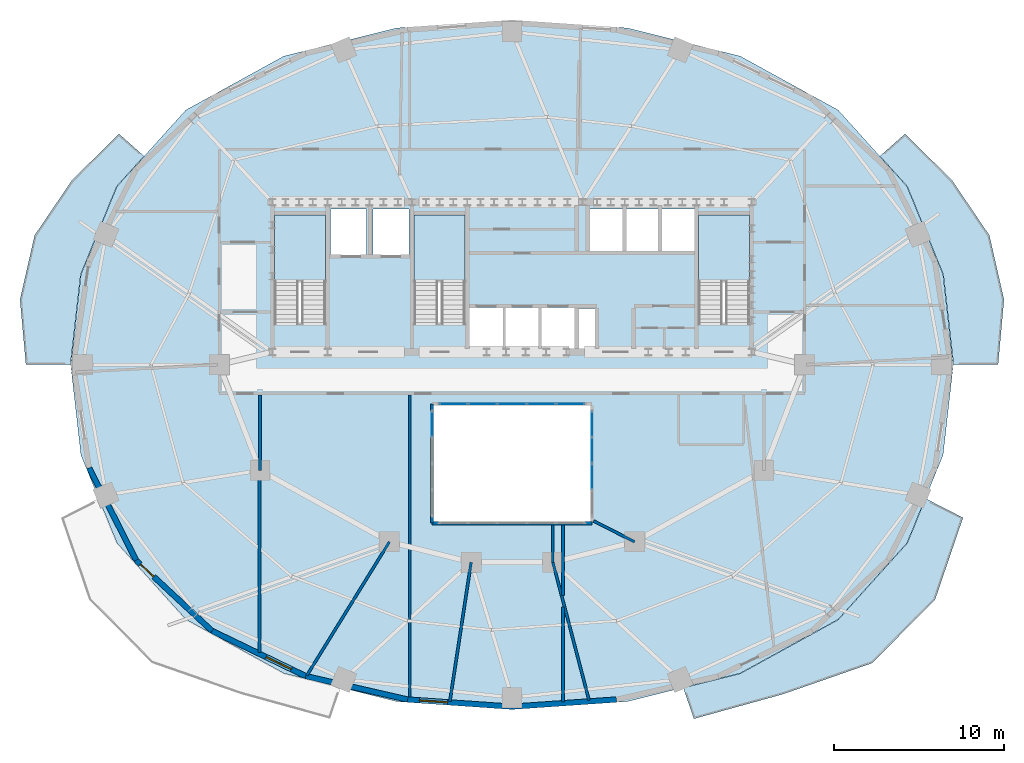
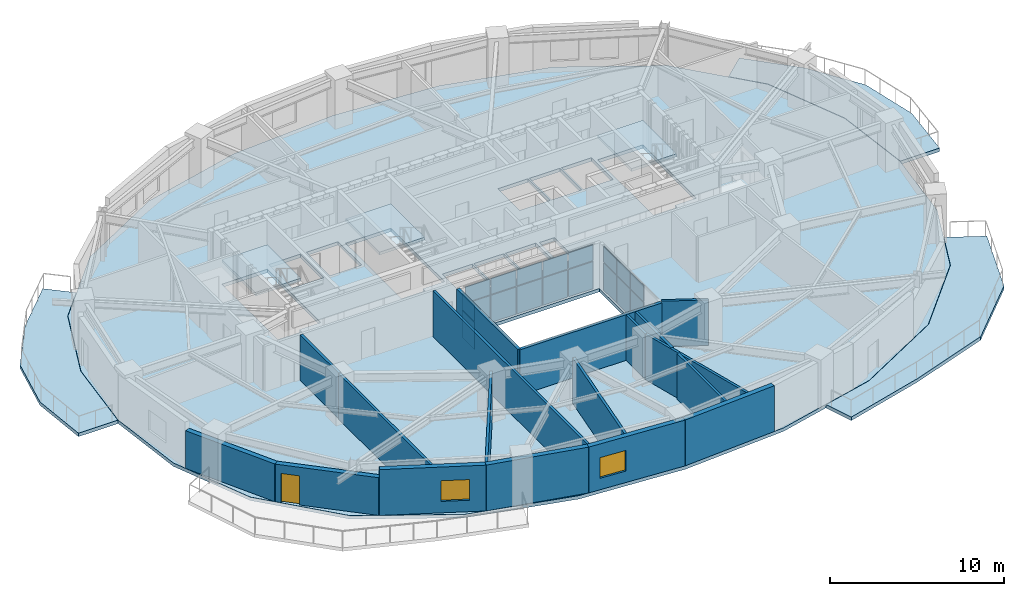
# One storey, part 5 of 11: 18 plates, 18 walls, 7 slabs, 2 windows, 1 door, 3 openings, 6 elements without a shape of their own.
"""IFC4 building model written with IfcOpenShell, lengths in metres."""

from ifc_helpers import new_model, si_unit, direction, frame, frame_2d, origin, origin_2d, place, context, subcontext, project, spatial, polyline, rectangle, outline, extrude, material, layer, layer_set, type_object, element, fill, aggregate, save


model = new_model("IFC4")

# Units and contexts
model_context = context("Model", 3, precision=1e-05, world=origin(), true_north=direction((0.0, 1.0)))
body_context = subcontext(model_context, "Body", "Model", "MODEL_VIEW")
ifc_project = project(units=[si_unit("LENGTHUNIT", "METRE"), si_unit("AREAUNIT", "SQUARE_METRE"), si_unit("VOLUMEUNIT", "CUBIC_METRE"), si_unit("PLANEANGLEUNIT", "RADIAN"), si_unit("MASSUNIT", "GRAM", prefix="KILO")], contexts=[model_context])

# Site, building, storey
site_placement = place(None, origin())
site = spatial("IfcSite", under=ifc_project, at=site_placement, CompositionType="ELEMENT")
building_placement = place(site_placement, origin())
building = spatial("IfcBuilding", under=site, at=building_placement, Name="Haldorwick Loom Tower", CompositionType="ELEMENT")
storey_placement = place(building_placement, frame((0.0, 0.0, 168.25)))
storey = spatial("IfcBuildingStorey", under=building, at=storey_placement, Name="L45", CompositionType="ELEMENT", Elevation=168.25)

# Curtain wall, plates
ifc_material_1 = material(Name="Thermally Broken Anodized Aluminium Curtain Wall Framing", Category="aluminium")
curtain_wall_type = type_object("IfcCurtainWallType", Name="ARC-CW-03", PredefinedType="NOTDEFINED", material=ifc_material_1)
curtain_wall_1_placement = place(storey_placement, origin())
curtain_wall_1 = element("IfcCurtainWall", 1, at=curtain_wall_1_placement, inside=storey, type_object=curtain_wall_type, Name="L45 Atrium Glazed Screen N", PredefinedType="NOTDEFINED")
ifc_material_2 = material(Name="Triple-Glazed Low-E Argon Insulated Glazing Unit", Category="glass")
ifc_layer_1 = layer(ifc_material_2, 0.04296875, Name="Triple-Glazed Low-E Argon Insulated Glazing Unit", Category="glass")
ifc_layer_set_1 = layer_set([ifc_layer_1], Name="Triple-Glazed Low-E Argon Insulated Glazing Unit")
plate_type = type_object("IfcPlateType", Name="ARC-CWP-03", PredefinedType="CURTAIN_PANEL", material=ifc_layer_set_1)
plate_1_placement = place(storey_placement, frame((32.576416015625, 23.699951171875, 0.066162109375), z_axis=(0.0, 0.0, 1.0), x_axis=(1.0, 0.0, 0.0)))
plate_1 = element("IfcPlate", 2, at=plate_1_placement, type_object=plate_type, Name="CW-03 panel 1.1", PredefinedType="CURTAIN_PANEL", context=body_context, shape_type="SweptSolid", body=[
    extrude(rectangle(XDim=1.62109375, YDim=0.04296875, at=origin_2d()), origin(), (0.0, 0.0, 1.0), 1.90087890625),
])
plate_2_placement = place(storey_placement, frame((32.576416015625, 23.699951171875, 2.03271484375), z_axis=(0.0, 0.0, 1.0), x_axis=(1.0, 0.0, 0.0)))
plate_2 = element("IfcPlate", 3, at=plate_2_placement, type_object=plate_type, Name="CW-03 panel 1.2", PredefinedType="CURTAIN_PANEL", context=body_context, shape_type="SweptSolid", body=[
    extrude(rectangle(XDim=1.62109375, YDim=0.04296875, at=origin_2d()), origin(), (0.0, 0.0, 1.0), 1.111083984375),
])
plate_3_placement = place(storey_placement, frame((34.280029296875, 23.699951171875, 0.066162109375), z_axis=(0.0, 0.0, 1.0), x_axis=(1.0, 0.0, 0.0)))
plate_3 = element("IfcPlate", 4, at=plate_3_placement, type_object=plate_type, Name="CW-03 panel 2.1", PredefinedType="CURTAIN_PANEL", context=body_context, shape_type="SweptSolid", body=[
    extrude(rectangle(XDim=1.654052734375, YDim=0.04296875, at=origin_2d()), origin(), (0.0, 0.0, 1.0), 1.90087890625),
])
plate_4_placement = place(storey_placement, frame((34.280029296875, 23.699951171875, 2.03271484375), z_axis=(0.0, 0.0, 1.0), x_axis=(1.0, 0.0, 0.0)))
plate_4 = element("IfcPlate", 5, at=plate_4_placement, type_object=plate_type, Name="CW-03 panel 2.2", PredefinedType="CURTAIN_PANEL", context=body_context, shape_type="SweptSolid", body=[
    extrude(rectangle(XDim=1.654052734375, YDim=0.04296875, at=origin_2d()), origin(), (0.0, 0.0, 1.0), 1.111083984375),
])
plate_5_placement = place(storey_placement, frame((36.0, 23.699951171875, 0.066162109375), z_axis=(0.0, 0.0, 1.0), x_axis=(1.0, 0.0, 0.0)))
plate_5 = element("IfcPlate", 6, at=plate_5_placement, type_object=plate_type, Name="CW-03 panel 3.1", PredefinedType="CURTAIN_PANEL", context=body_context, shape_type="SweptSolid", body=[
    extrude(rectangle(XDim=1.654052734375, YDim=0.04296875, at=origin_2d()), origin(), (0.0, 0.0, 1.0), 1.90087890625),
])
plate_6_placement = place(storey_placement, frame((36.0, 23.699951171875, 2.03271484375), z_axis=(0.0, 0.0, 1.0), x_axis=(1.0, 0.0, 0.0)))
plate_6 = element("IfcPlate", 7, at=plate_6_placement, type_object=plate_type, Name="CW-03 panel 3.2", PredefinedType="CURTAIN_PANEL", context=body_context, shape_type="SweptSolid", body=[
    extrude(rectangle(XDim=1.654052734375, YDim=0.04296875, at=origin_2d()), origin(), (0.0, 0.0, 1.0), 1.111083984375),
])
plate_7_placement = place(storey_placement, frame((37.719970703125, 23.699951171875, 0.066162109375), z_axis=(0.0, 0.0, 1.0), x_axis=(1.0, 0.0, 0.0)))
plate_7 = element("IfcPlate", 8, at=plate_7_placement, type_object=plate_type, Name="CW-03 panel 4.1", PredefinedType="CURTAIN_PANEL", context=body_context, shape_type="SweptSolid", body=[
    extrude(rectangle(XDim=1.654052734375, YDim=0.04296875, at=origin_2d()), origin(), (0.0, 0.0, 1.0), 1.90087890625),
])
plate_8_placement = place(storey_placement, frame((37.719970703125, 23.699951171875, 2.03271484375), z_axis=(0.0, 0.0, 1.0), x_axis=(1.0, 0.0, 0.0)))
plate_8 = element("IfcPlate", 9, at=plate_8_placement, type_object=plate_type, Name="CW-03 panel 4.2", PredefinedType="CURTAIN_PANEL", context=body_context, shape_type="SweptSolid", body=[
    extrude(rectangle(XDim=1.654052734375, YDim=0.04296875, at=origin_2d()), origin(), (0.0, 0.0, 1.0), 1.111083984375),
])
plate_9_placement = place(storey_placement, frame((39.423583984375, 23.699951171875, 0.066162109375), z_axis=(0.0, 0.0, 1.0), x_axis=(1.0, 0.0, 0.0)))
plate_9 = element("IfcPlate", 10, at=plate_9_placement, type_object=plate_type, Name="CW-03 panel 5.1", PredefinedType="CURTAIN_PANEL", context=body_context, shape_type="SweptSolid", body=[
    extrude(rectangle(XDim=1.62109375, YDim=0.04296875, at=origin_2d()), origin(), (0.0, 0.0, 1.0), 1.90087890625),
])
plate_10_placement = place(storey_placement, frame((39.423583984375, 23.699951171875, 2.03271484375), z_axis=(0.0, 0.0, 1.0), x_axis=(1.0, 0.0, 0.0)))
plate_10 = element("IfcPlate", 11, at=plate_10_placement, type_object=plate_type, Name="CW-03 panel 5.2", PredefinedType="CURTAIN_PANEL", context=body_context, shape_type="SweptSolid", body=[
    extrude(rectangle(XDim=1.62109375, YDim=0.04296875, at=origin_2d()), origin(), (0.0, 0.0, 1.0), 1.111083984375),
])
aggregate(curtain_wall_1, [plate_1, plate_2, plate_3, plate_4, plate_5, plate_6, plate_7, plate_8, plate_9, plate_10])

curtain_wall_2_placement = place(storey_placement, origin())
curtain_wall_2 = element("IfcCurtainWall", 12, at=curtain_wall_2_placement, inside=storey, type_object=curtain_wall_type, Name="L45 Atrium Glazed Screen W", PredefinedType="NOTDEFINED")
plate_11_placement = place(storey_placement, frame((31.300048828125, 22.508544921875, 0.066162109375), z_axis=(0.0, 0.0, 1.0), x_axis=(0.0, 1.0, 0.0)))
plate_11 = element("IfcPlate", 13, at=plate_11_placement, type_object=plate_type, Name="CW-03 panel 4.1", PredefinedType="CURTAIN_PANEL", context=body_context, shape_type="SweptSolid", body=[
    extrude(rectangle(XDim=1.450927734375, YDim=0.04296875, at=origin_2d()), origin(), (0.0, 0.0, 1.0), 1.90087890625),
])
plate_12_placement = place(storey_placement, frame((31.300048828125, 22.508544921875, 2.03271484375), z_axis=(0.0, 0.0, 1.0), x_axis=(0.0, 1.0, 0.0)))
plate_12 = element("IfcPlate", 14, at=plate_12_placement, type_object=plate_type, Name="CW-03 panel 4.2", PredefinedType="CURTAIN_PANEL", context=body_context, shape_type="SweptSolid", body=[
    extrude(rectangle(XDim=1.450927734375, YDim=0.04296875, at=origin_2d()), origin(), (0.0, 0.0, 1.0), 1.111083984375),
])
aggregate(curtain_wall_2, [plate_11, plate_12])

curtain_wall_3_placement = place(storey_placement, origin())
curtain_wall_3 = element("IfcCurtainWall", 15, at=curtain_wall_3_placement, inside=storey, type_object=curtain_wall_type, Name="L45 Atrium Glazed Screen E", PredefinedType="NOTDEFINED")
plate_13_placement = place(storey_placement, frame((40.699951171875, 22.508544921875, 0.066162109375), z_axis=(0.0, 0.0, 1.0), x_axis=(0.0, -1.0, 0.0)))
plate_13 = element("IfcPlate", 16, at=plate_13_placement, type_object=plate_type, Name="CW-03 panel 1.1", PredefinedType="CURTAIN_PANEL", context=body_context, shape_type="SweptSolid", body=[
    extrude(rectangle(XDim=1.450927734375, YDim=0.04296875, at=origin_2d()), origin(), (0.0, 0.0, 1.0), 1.90087890625),
])
plate_14_placement = place(storey_placement, frame((40.699951171875, 22.508544921875, 2.03271484375), z_axis=(0.0, 0.0, 1.0), x_axis=(0.0, -1.0, 0.0)))
plate_14 = element("IfcPlate", 17, at=plate_14_placement, type_object=plate_type, Name="CW-03 panel 1.2", PredefinedType="CURTAIN_PANEL", context=body_context, shape_type="SweptSolid", body=[
    extrude(rectangle(XDim=1.450927734375, YDim=0.04296875, at=origin_2d()), origin(), (0.0, 0.0, 1.0), 1.111083984375),
])
plate_15_placement = place(storey_placement, frame((40.699951171875, 20.97509765625, 0.066162109375), z_axis=(0.0, 0.0, 1.0), x_axis=(0.0, -1.0, 0.0)))
plate_15 = element("IfcPlate", 18, at=plate_15_placement, type_object=plate_type, Name="CW-03 panel 2.1", PredefinedType="CURTAIN_PANEL", context=body_context, shape_type="SweptSolid", body=[
    extrude(rectangle(XDim=1.48388671875, YDim=0.04296875, at=origin_2d()), origin(), (0.0, 0.0, 1.0), 1.90087890625),
])
plate_16_placement = place(storey_placement, frame((40.699951171875, 20.97509765625, 2.03271484375), z_axis=(0.0, 0.0, 1.0), x_axis=(0.0, -1.0, 0.0)))
plate_16 = element("IfcPlate", 19, at=plate_16_placement, type_object=plate_type, Name="CW-03 panel 2.2", PredefinedType="CURTAIN_PANEL", context=body_context, shape_type="SweptSolid", body=[
    extrude(rectangle(XDim=1.48388671875, YDim=0.04296875, at=origin_2d()), origin(), (0.0, 0.0, 1.0), 1.111083984375),
])
plate_17_placement = place(storey_placement, frame((40.699951171875, 19.425048828125, 0.066162109375), z_axis=(0.0, 0.0, 1.0), x_axis=(0.0, -1.0, 0.0)))
plate_17 = element("IfcPlate", 20, at=plate_17_placement, type_object=plate_type, Name="CW-03 panel 3.1", PredefinedType="CURTAIN_PANEL", context=body_context, shape_type="SweptSolid", body=[
    extrude(rectangle(XDim=1.48388671875, YDim=0.04296875, at=origin_2d()), origin(), (0.0, 0.0, 1.0), 1.90087890625),
])
plate_18_placement = place(storey_placement, frame((40.699951171875, 19.425048828125, 2.03271484375), z_axis=(0.0, 0.0, 1.0), x_axis=(0.0, -1.0, 0.0)))
plate_18 = element("IfcPlate", 21, at=plate_18_placement, type_object=plate_type, Name="CW-03 panel 3.2", PredefinedType="CURTAIN_PANEL", context=body_context, shape_type="SweptSolid", body=[
    extrude(rectangle(XDim=1.48388671875, YDim=0.04296875, at=origin_2d()), origin(), (0.0, 0.0, 1.0), 1.111083984375),
])
aggregate(curtain_wall_3, [plate_13, plate_14, plate_15, plate_16, plate_17, plate_18])

# Slabs
ifc_material_3 = material(Name="Concrete C40 (40 MPa)", Category="concrete")
ifc_layer_2 = layer(ifc_material_3, 0.239990234375, Name="Concrete C40 (40 MPa)", Category="concrete")
ifc_layer_set_2 = layer_set([ifc_layer_2], Name="Concrete C40 (40 MPa)")
slab_type_1 = type_object("IfcSlabType", Name="STR-SLB-BAL240", PredefinedType="FLOOR", material=ifc_layer_set_2)
slab_1_placement = place(storey_placement, frame((0.0, 0.0, -0.239990234375)))
element("IfcSlab", 22, at=slab_1_placement, inside=storey, type_object=slab_type_1, Name="L45 Sinusoidal Balcony Terrace BAL_SE", PredefinedType="FLOOR", context=body_context, shape_type="SweptSolid", body=[
    extrude(outline(polyline([(60.28466796875, 18.14208984375), (59.216064453125, 15.530517578125), (59.21533203125, 15.529296875), (59.21484375, 15.528076171875), (59.214111328125, 15.527099609375), (59.213134765625, 15.526123046875), (55.16162109375, 11.031005859375), (55.16064453125, 11.02978515625), (55.1591796875, 11.028564453125), (55.15771484375, 11.02783203125), (49.40283203125, 7.863037109375), (49.40185546875, 7.8623046875), (49.400634765625, 7.86181640625), (49.3994140625, 7.861572265625), (46.060791015625, 7.028076171875), (46.680419921875, 5.20849609375), (51.92431640625, 6.6572265625), (57.151123046875, 8.4794921875), (60.846435546875, 12.208251953125), (62.485107421875, 17.0166015625), (60.28466796875, 18.14208984375)])), origin(), (0.0, 0.0, 1.0), 0.239990234375),
])
slab_2_placement = place(storey_placement, frame((0.0, 0.0, -0.239990234375)))
element("IfcSlab", 23, at=slab_2_placement, inside=storey, type_object=slab_type_1, Name="L45 Sinusoidal Balcony Terrace BAL_WNW", PredefinedType="FLOOR", context=body_context, shape_type="SweptSolid", body=[
    extrude(outline(polyline([(10.068115234375, 26.0), (10.068115234375, 26.001708984375), (10.669677734375, 31.30029296875), (10.669921875, 31.3017578125), (10.670166015625, 31.302978515625), (10.670654296875, 31.30419921875), (12.783935546875, 36.469482421875), (12.78466796875, 36.470703125), (12.78515625, 36.4716796875), (12.785888671875, 36.472900390625), (12.786865234375, 36.473876953125), (14.389404296875, 38.251953125), (12.915283203125, 39.5595703125), (10.1494140625, 36.817138671875), (7.967529296875, 33.601318359375), (7.10693359375, 29.826416015625), (7.452880859375, 26.0), (10.068115234375, 26.0)])), origin(), (0.0, 0.0, 1.0), 0.239990234375),
])
slab_3_placement = place(storey_placement, frame((0.0, 0.0, -0.239990234375)))
element("IfcSlab", 24, at=slab_3_placement, inside=storey, type_object=slab_type_1, Name="L45 Sinusoidal Balcony Terrace BAL_ENE", PredefinedType="FLOOR", context=body_context, shape_type="SweptSolid", body=[
    extrude(outline(polyline([(57.610595703125, 38.251953125), (59.213134765625, 36.473876953125), (59.214111328125, 36.472900390625), (59.21484375, 36.4716796875), (59.21533203125, 36.470703125), (59.216064453125, 36.469482421875), (61.329345703125, 31.30419921875), (61.329833984375, 31.302978515625), (61.330078125, 31.3017578125), (61.330322265625, 31.30029296875), (61.931884765625, 26.001708984375), (61.931884765625, 26.0), (64.547119140625, 26.0), (64.89306640625, 29.826416015625), (64.032470703125, 33.601318359375), (61.8505859375, 36.817138671875), (59.084716796875, 39.5595703125), (57.610595703125, 38.251953125)])), origin(), (0.0, 0.0, 1.0), 0.239990234375),
])

# Stair, slab
stair_type = type_object("IfcStairType", Name="STR-STR-CORE", PredefinedType="HALF_TURN_STAIR", material=ifc_material_3)
stair_1_placement = place(storey_placement, origin())
stair_1 = element("IfcStair", 25, at=stair_1_placement, inside=storey, type_object=stair_type, Name="L45 Exit Stair ST-01", PredefinedType="HALF_TURN_STAIR")
ifc_layer_3 = layer(ifc_material_3, 0.199951171875, Name="Concrete C40 (40 MPa)", Category="concrete")
ifc_layer_set_3 = layer_set([ifc_layer_3], Name="Concrete C40 (40 MPa)")
slab_type_2 = type_object("IfcSlabType", Name="STR-SLB-LAND200", PredefinedType="LANDING", material=ifc_layer_set_3)
slab_4_placement = place(storey_placement, frame((0.0, 0.0, 1.52490234375)))
slab_4 = element("IfcSlab", 26, at=slab_4_placement, type_object=slab_type_2, Name="ST-01 landing 1", PredefinedType="LANDING", context=body_context, shape_type="SweptSolid", body=[
    extrude(outline(polyline([(25.050048828125, 30.919921875), (25.050048828125, 34.800048828125), (22.050048828125, 34.800048828125), (22.050048828125, 30.919921875), (25.050048828125, 30.919921875)])), origin(), (0.0, 0.0, 1.0), 0.2001953125),
])
aggregate(stair_1, [slab_4])

stair_2_placement = place(storey_placement, origin())
stair_2 = element("IfcStair", 27, at=stair_2_placement, inside=storey, type_object=stair_type, Name="L45 Exit Stair ST-02", PredefinedType="HALF_TURN_STAIR")
slab_5_placement = place(storey_placement, frame((0.0, 0.0, 1.52490234375)))
slab_5 = element("IfcSlab", 28, at=slab_5_placement, type_object=slab_type_2, Name="ST-02 landing 1", PredefinedType="LANDING", context=body_context, shape_type="SweptSolid", body=[
    extrude(outline(polyline([(49.949951171875, 30.919921875), (49.949951171875, 34.800048828125), (46.949951171875, 34.800048828125), (46.949951171875, 30.919921875), (49.949951171875, 30.919921875)])), origin(), (0.0, 0.0, 1.0), 0.2001953125),
])
aggregate(stair_2, [slab_5])

stair_3_placement = place(storey_placement, origin())
stair_3 = element("IfcStair", 29, at=stair_3_placement, inside=storey, type_object=stair_type, Name="L45 Exit Stair ST-03", PredefinedType="HALF_TURN_STAIR")
slab_6_placement = place(storey_placement, frame((0.0, 0.0, 1.52490234375)))
slab_6 = element("IfcSlab", 30, at=slab_6_placement, type_object=slab_type_2, Name="ST-03 landing 1", PredefinedType="LANDING", context=body_context, shape_type="SweptSolid", body=[
    extrude(outline(polyline([(33.25, 30.919921875), (33.25, 34.800048828125), (30.25, 34.800048828125), (30.25, 30.919921875), (33.25, 30.919921875)])), origin(), (0.0, 0.0, 1.0), 0.2001953125),
])
aggregate(stair_3, [slab_6])

# Slab
ifc_layer_4 = layer(ifc_material_3, 0.239990234375, Name="Concrete C40 (40 MPa)", Category="concrete")
ifc_layer_set_4 = layer_set([ifc_layer_4], Name="Concrete C40 (40 MPa)")
slab_type_3 = type_object("IfcSlabType", Name="STR-SLB-RES240", PredefinedType="FLOOR", material=ifc_layer_set_4)
slab_7_placement = place(storey_placement, frame((0.0, 0.0, -0.239990234375)))
element("IfcSlab", 31, at=slab_7_placement, inside=storey, type_object=slab_type_3, Name="L45 Residential Structural Floor Slab", PredefinedType="FLOOR", context=body_context, shape_type="SweptSolid", body=[
    extrude(outline(polyline([(55.150634765625, 11.041015625), (59.2021484375, 15.5361328125), (61.3154296875, 20.701416015625), (61.9169921875, 26.0), (61.3154296875, 31.298583984375), (59.2021484375, 36.4638671875), (55.150634765625, 40.958984375), (49.395751953125, 44.123779296875), (42.783203125, 45.774658203125), (36.0, 46.24462890625), (29.216796875, 45.774658203125), (22.604248046875, 44.123779296875), (16.849365234375, 40.958984375), (12.7978515625, 36.4638671875), (10.6845703125, 31.298583984375), (10.0830078125, 26.0), (10.6845703125, 20.701416015625), (12.7978515625, 15.5361328125), (16.849365234375, 11.041015625), (22.604248046875, 7.876220703125), (29.216796875, 6.225341796875), (36.0, 5.75537109375), (42.783203125, 6.225341796875), (49.395751953125, 7.876220703125), (55.150634765625, 11.041015625)]), holes=[polyline([(31.39990234375, 16.800048828125), (31.39990234375, 23.60009765625), (40.60009765625, 23.60009765625), (40.60009765625, 16.800048828125), (31.39990234375, 16.800048828125)]), polyline([(33.5, 26.85009765625), (33.5, 29.35009765625), (35.5, 29.35009765625), (35.5, 26.85009765625), (33.5, 26.85009765625)]), polyline([(35.60009765625, 26.85009765625), (35.60009765625, 29.35009765625), (37.60009765625, 29.35009765625), (37.60009765625, 26.85009765625), (35.60009765625, 26.85009765625)]), polyline([(23.6201171875, 28.39990234375), (22.050048828125, 28.39990234375), (22.050048828125, 34.800048828125), (25.050048828125, 34.800048828125), (25.050048828125, 28.639892578125), (23.6201171875, 28.639892578125), (23.6201171875, 28.39990234375)]), polyline([(30.25, 28.39990234375), (30.25, 34.800048828125), (33.25, 34.800048828125), (33.25, 28.639892578125), (31.820068359375, 28.639892578125), (31.820068359375, 28.39990234375), (30.25, 28.39990234375)]), polyline([(25.35009765625, 32.449951171875), (25.35009765625, 35.14990234375), (27.449951171875, 35.14990234375), (27.449951171875, 32.449951171875), (25.35009765625, 32.449951171875)]), polyline([(29.949951171875, 32.449951171875), (27.85009765625, 32.449951171875), (27.85009765625, 35.14990234375), (29.949951171875, 35.14990234375), (29.949951171875, 32.449951171875)]), polyline([(37.699951171875, 26.85009765625), (37.699951171875, 29.35009765625), (39.699951171875, 29.35009765625), (39.699951171875, 26.85009765625), (37.699951171875, 26.85009765625)]), polyline([(39.89990234375, 26.89990234375), (39.89990234375, 29.300048828125), (40.89990234375, 29.300048828125), (40.89990234375, 26.89990234375), (39.89990234375, 26.89990234375)]), polyline([(46.949951171875, 28.39990234375), (46.949951171875, 34.800048828125), (49.949951171875, 34.800048828125), (49.949951171875, 28.639892578125), (48.52001953125, 28.639892578125), (48.52001953125, 28.39990234375), (46.949951171875, 28.39990234375)]), polyline([(40.550048828125, 32.64990234375), (40.550048828125, 35.14990234375), (42.550048828125, 35.14990234375), (42.550048828125, 32.64990234375), (40.550048828125, 32.64990234375)]), polyline([(42.64990234375, 32.64990234375), (42.64990234375, 35.14990234375), (44.64990234375, 35.14990234375), (44.64990234375, 32.64990234375), (42.64990234375, 32.64990234375)]), polyline([(44.75, 32.64990234375), (44.75, 35.14990234375), (46.75, 35.14990234375), (46.75, 32.64990234375), (44.75, 32.64990234375)])]), origin(), (0.0, 0.0, 1.0), 0.239990234375),
])

# Wall
ifc_material_4 = material(Name="Pressed Clay Face Brick and Insulated Masonry Backup Assembly", Category="masonry")
ifc_layer_5 = layer(ifc_material_4, 0.320068359375, Name="Pressed Clay Face Brick and Insulated Masonry Backup Assembly", Category="masonry")
ifc_layer_set_5 = layer_set([ifc_layer_5], Name="Pressed Clay Face Brick and Insulated Masonry Backup Assembly")
wall_type_1 = type_object("IfcWallType", Name="ARC-WL-EXT320", PredefinedType="STANDARD", material=ifc_layer_set_5)
wall_1_placement = place(storey_placement, frame((11.1650390625, 19.944580078125, 0.0), z_axis=(0.0, 0.0, 1.0), x_axis=(0.453172129629, -0.89142303141, 0.0)))
element("IfcWall", 32, at=wall_1_placement, inside=storey, type_object=wall_type_1, Name="L45 Brick Pier and Spandrel Wall 14", PredefinedType="STANDARD", context=body_context, shape_type="SweptSolid", body=[
    extrude(rectangle(XDim=6.086669921875, YDim=0.320068359375, at=frame_2d((3.04345703125, 0.0))), origin(), (0.0, 0.0, 1.0), 2.64111328125),
])

# Wall, opening, door
wall_2_placement = place(storey_placement, frame((13.92333984375, 14.518798828125, 0.0), z_axis=(0.0, 0.0, 1.0), x_axis=(0.732001571644, -0.681302942244, 0.0)))
wall_2 = element("IfcWall", 33, at=wall_2_placement, inside=storey, type_object=wall_type_1, Name="L45 Brick Pier and Spandrel Wall 15", PredefinedType="STANDARD", context=body_context, shape_type="SweptSolid", body=[
    extrude(rectangle(XDim=6.0869140625, YDim=0.320068359375, at=frame_2d((3.04345703125, 0.0))), origin(), (0.0, 0.0, 1.0), 2.64111328125),
])
opening_1_placement = place(wall_2_placement, frame((0.340087890625, 0.0, 0.0)))
opening_1 = element("IfcOpeningElement", 34, at=opening_1_placement, cuts=wall_2, Name="Opening D-BL11", PredefinedType="OPENING", context=body_context, shape_type="SweptSolid", body=[
    extrude(rectangle(XDim=1.080078125, YDim=2.0400390625, at=frame_2d((0.5400390625, 1.02001953125))), frame((0.0, 0.169921875, 0.0), z_axis=(0.0, -1.0, 0.0), x_axis=(1.0, 0.0, 0.0)), (0.0, 0.0, 1.0), 0.340087890625),
])
door_type = type_object("IfcDoorType", Name="ARC-DR-BAL110", OperationType="NOTDEFINED", PredefinedType="DOOR", material=ifc_material_1)
door_placement = place(opening_1_placement, origin())
door = element("IfcDoor", 35, at=door_placement, inside=storey, type_object=door_type, Name="L45 Outdoor Terrace Door SLB-L45-BAL_SW", OperationType="SINGLE_SWING_LEFT", OverallHeight=2.0400390625, OverallWidth=1.080078125, PredefinedType="DOOR", context=body_context, shape_type="SweptSolid", body=[
    extrude(rectangle(XDim=1.080078125, YDim=2.0400390625, at=frame_2d((0.5400390625, 1.02001953125))), frame((0.0, 0.02490234375, 0.0), z_axis=(0.0, -1.0, 0.0), x_axis=(1.0, 0.0, 0.0)), (0.0, 0.0, 1.0), 0.050048828125),
])
fill(opening_1, door)

# Wall, opening, window
wall_3_placement = place(storey_placement, frame((18.37890625, 10.371826171875, 0.0), z_axis=(0.0, 0.0, 1.0), x_axis=(0.900472429216, -0.43491309962, 0.0)))
wall_3 = element("IfcWall", 36, at=wall_3_placement, inside=storey, type_object=wall_type_1, Name="L45 Brick Pier and Spandrel Wall 16", PredefinedType="STANDARD", context=body_context, shape_type="SweptSolid", body=[
    extrude(rectangle(XDim=6.1181640625, YDim=0.320068359375, at=frame_2d((3.05908203125, 0.0))), origin(), (0.0, 0.0, 1.0), 3.2099609375),
])
opening_2_placement = place(wall_3_placement, frame((3.527099609375, 0.0, 0.800048828125)))
opening_2 = element("IfcOpeningElement", 37, at=opening_2_placement, cuts=wall_3, Name="Opening W-01B", PredefinedType="OPENING", context=body_context, shape_type="SweptSolid", body=[
    extrude(rectangle(XDim=1.64990234375, YDim=1.449951171875, at=frame_2d((0.824951171875, 0.72509765625))), frame((0.0, 0.169921875, 0.0), z_axis=(0.0, -1.0, 0.0), x_axis=(1.0, 0.0, 0.0)), (0.0, 0.0, 1.0), 0.340087890625),
])
window_type = type_object("IfcWindowType", Name="ARC-WIN-W165", PartitioningType="SINGLE_PANEL", PredefinedType="WINDOW", material=ifc_material_2)
window_1_placement = place(opening_2_placement, origin())
window_1 = element("IfcWindow", 38, at=window_1_placement, inside=storey, type_object=window_type, Name="L45 Deep-Set Zone 7A Window 16", OverallHeight=1.449951171875, OverallWidth=1.64990234375, PartitioningType="SINGLE_PANEL", PredefinedType="WINDOW", context=body_context, shape_type="SweptSolid", body=[
    extrude(rectangle(XDim=1.64990234375, YDim=1.449951171875, at=frame_2d((0.824951171875, 0.72509765625))), frame((0.0, 0.030029296875, 0.0), z_axis=(0.0, -1.0, 0.0), x_axis=(1.0, 0.0, 0.0)), (0.0, 0.0, 1.0), 0.06005859375),
])
fill(opening_2, window_1)

# Wall
wall_4_placement = place(storey_placement, frame((23.88818359375, 7.7109375, 0.0), z_axis=(0.0, 0.0, 1.0), x_axis=(0.974593223547, -0.223982250674, 0.0)))
element("IfcWall", 39, at=wall_4_placement, inside=storey, type_object=wall_type_1, Name="L45 Brick Pier and Spandrel Wall 17", PredefinedType="STANDARD", context=body_context, shape_type="SweptSolid", body=[
    extrude(rectangle(XDim=6.138916015625, YDim=0.320068359375, at=frame_2d((3.0693359375, 0.0))), origin(), (0.0, 0.0, 1.0), 3.2099609375),
])

# Wall, opening, window
wall_5_placement = place(storey_placement, frame((29.87109375, 6.3359375, 0.0), z_axis=(0.0, 0.0, 1.0), x_axis=(0.997652942988, -0.068473391522, 0.0)))
wall_5 = element("IfcWall", 40, at=wall_5_placement, inside=storey, type_object=wall_type_1, Name="L45 Brick Pier and Spandrel Wall 18", PredefinedType="STANDARD", context=body_context, shape_type="SweptSolid", body=[
    extrude(rectangle(XDim=6.143310546875, YDim=0.320068359375, at=frame_2d((3.07177734375, 0.0))), origin(), (0.0, 0.0, 1.0), 3.2099609375),
])
opening_3_placement = place(wall_5_placement, frame((0.697509765625, 0.0, 0.800048828125)))
opening_3 = element("IfcOpeningElement", 41, at=opening_3_placement, cuts=wall_5, Name="Opening W-01B", PredefinedType="OPENING", context=body_context, shape_type="SweptSolid", body=[
    extrude(rectangle(XDim=1.64990234375, YDim=1.449951171875, at=frame_2d((0.824951171875, 0.72509765625))), frame((0.0, 0.169921875, 0.0), z_axis=(0.0, -1.0, 0.0), x_axis=(1.0, 0.0, 0.0)), (0.0, 0.0, 1.0), 0.340087890625),
])
window_2_placement = place(opening_3_placement, origin())
window_2 = element("IfcWindow", 42, at=window_2_placement, inside=storey, type_object=window_type, Name="L45 Deep-Set Zone 7A Window 18", OverallHeight=1.449951171875, OverallWidth=1.64990234375, PartitioningType="SINGLE_PANEL", PredefinedType="WINDOW", context=body_context, shape_type="SweptSolid", body=[
    extrude(rectangle(XDim=1.64990234375, YDim=1.449951171875, at=frame_2d((0.824951171875, 0.72509765625))), frame((0.0, 0.030029296875, 0.0), z_axis=(0.0, -1.0, 0.0), x_axis=(1.0, 0.0, 0.0)), (0.0, 0.0, 1.0), 0.06005859375),
])
fill(opening_3, window_2)

# Walls
wall_6_placement = place(storey_placement, frame((36.0, 5.915283203125, 0.0), z_axis=(0.0, 0.0, 1.0), x_axis=(0.997652942988, 0.068473391522, 0.0)))
element("IfcWall", 43, at=wall_6_placement, inside=storey, type_object=wall_type_1, Name="L45 Brick Pier and Spandrel Wall 19", PredefinedType="STANDARD", context=body_context, shape_type="SweptSolid", body=[
    extrude(rectangle(XDim=6.143310546875, YDim=0.320068359375, at=frame_2d((3.07177734375, 0.0))), origin(), (0.0, 0.0, 1.0), 3.2099609375),
])
ifc_material_5 = material(Name="Fire-Rated Type X Gypsum Stud Assembly EI 60")
ifc_layer_6 = layer(ifc_material_5, 0.159912109375, Name="Fire-Rated Type X Gypsum Stud Assembly EI 60")
ifc_layer_set_6 = layer_set([ifc_layer_6], Name="Fire-Rated Type X Gypsum Stud Assembly EI 60")
wall_type_2 = type_object("IfcWallType", Name="ARC-WL-FIRE160", PredefinedType="PARTITIONING", material=ifc_layer_set_6)
wall_7_placement = place(storey_placement, frame((38.39990234375, 14.39990234375, 0.0), z_axis=(0.0, 0.0, 1.0), x_axis=(0.253580014621, -0.967314414337, 0.0)))
element("IfcWall", 44, at=wall_7_placement, inside=storey, type_object=wall_type_2, Name="L45 Residential Fire Partition L45-ICR-05", PredefinedType="PARTITIONING", context=body_context, shape_type="SweptSolid", body=[
    extrude(rectangle(XDim=8.3828125, YDim=0.159912109375, at=frame_2d((4.19140625, 0.0))), origin(), (0.0, 0.0, 1.0), 3.195068359375),
])
wall_8_placement = place(storey_placement, frame((33.60009765625, 14.39990234375, 0.0), z_axis=(0.0, 0.0, 1.0), x_axis=(-0.151084741361, -0.988520814615, 0.0)))
element("IfcWall", 45, at=wall_8_placement, inside=storey, type_object=wall_type_2, Name="L45 Residential Fire Partition L45-ICR-07", PredefinedType="PARTITIONING", context=body_context, shape_type="SweptSolid", body=[
    extrude(rectangle(XDim=8.263916015625, YDim=0.159912109375, at=frame_2d((4.1318359375, 0.0))), origin(), (0.0, 0.0, 1.0), 3.195068359375),
])
wall_9_placement = place(storey_placement, frame((28.800048828125, 15.60009765625, 0.0), z_axis=(0.0, 0.0, 1.0), x_axis=(-0.525389067154, -0.850862108755, 0.0)))
element("IfcWall", 46, at=wall_9_placement, inside=storey, type_object=wall_type_2, Name="L45 Residential Fire Partition L45-ICR-09", PredefinedType="PARTITIONING", context=body_context, shape_type="SweptSolid", body=[
    extrude(rectangle(XDim=9.212890625, YDim=0.159912109375, at=frame_2d((4.6064453125, 0.0))), origin(), (0.0, 0.0, 1.0), 3.195068359375),
])
wall_10_placement = place(storey_placement, frame((30.0, 6.392333984375, 0.0), z_axis=(0.0, 0.0, 1.0), x_axis=(0.0, 1.0, 0.0)))
element("IfcWall", 47, at=wall_10_placement, inside=storey, type_object=wall_type_2, Name="L45 Residential Fire Partition L45-SBP-0", PredefinedType="PARTITIONING", context=body_context, shape_type="SweptSolid", body=[
    extrude(rectangle(XDim=17.82470703125, YDim=0.159912109375, at=frame_2d((8.912353515625, 0.0))), origin(), (0.0, 0.0, 1.0), 3.195068359375),
])
wall_11_placement = place(storey_placement, frame((39.0, 6.186279296875, 0.0), z_axis=(0.0, 0.0, 1.0), x_axis=(0.0, 1.0, 0.0)))
element("IfcWall", 48, at=wall_11_placement, inside=storey, type_object=wall_type_2, Name="L45 Residential Fire Partition L45-SBP-1", PredefinedType="PARTITIONING", context=body_context, shape_type="SweptSolid", body=[
    extrude(rectangle(XDim=5.59765625, YDim=0.159912109375, at=frame_2d((2.798828125, 0.0))), origin(), (0.0, 0.0, 1.0), 3.195068359375),
])
wall_12_placement = place(storey_placement, frame((39.0, 12.4384765625, 0.0), z_axis=(0.0, 0.0, 1.0), x_axis=(0.0, 1.0, 0.0)))
element("IfcWall", 49, at=wall_12_placement, inside=storey, type_object=wall_type_2, Name="L45 Residential Fire Partition L45-SBP-1", PredefinedType="PARTITIONING", context=body_context, shape_type="SweptSolid", body=[
    extrude(rectangle(XDim=4.158447265625, YDim=0.159912109375, at=frame_2d((2.0791015625, 0.0))), origin(), (0.0, 0.0, 1.0), 3.195068359375),
])
wall_13_placement = place(storey_placement, frame((40.802978515625, 16.822021484375, 0.0), z_axis=(0.0, 0.0, 1.0), x_axis=(0.890915506237, -0.454169088278, 0.0)))
element("IfcWall", 50, at=wall_13_placement, inside=storey, type_object=wall_type_2, Name="L45 Residential Fire Partition L45-ICA-03", PredefinedType="PARTITIONING", context=body_context, shape_type="SweptSolid", body=[
    extrude(rectangle(XDim=2.6904296875, YDim=0.159912109375, at=frame_2d((1.34521484375, 0.0))), origin(), (0.0, 0.0, 1.0), 3.195068359375),
])
wall_14_placement = place(storey_placement, frame((38.39990234375, 16.596923828125, 0.0), z_axis=(0.0, 0.0, 1.0), x_axis=(0.0, -1.0, 0.0)))
element("IfcWall", 51, at=wall_14_placement, inside=storey, type_object=wall_type_2, Name="L45 Residential Fire Partition L45-ICA-04", PredefinedType="PARTITIONING", context=body_context, shape_type="SweptSolid", body=[
    extrude(rectangle(XDim=2.197021484375, YDim=0.159912109375, at=frame_2d((1.0986328125, 0.0))), origin(), (0.0, 0.0, 1.0), 3.195068359375),
])
wall_15_placement = place(storey_placement, frame((21.199951171875, 24.217041015625, 0.0), z_axis=(0.0, 0.0, 1.0), x_axis=(0.0, -1.0, 0.0)))
element("IfcWall", 52, at=wall_15_placement, inside=storey, type_object=wall_type_2, Name="L45 Residential Fire Partition L45-ICA-10", PredefinedType="PARTITIONING", context=body_context, shape_type="SweptSolid", body=[
    extrude(rectangle(XDim=4.4169921875, YDim=0.159912109375, at=frame_2d((2.20849609375, 0.0))), origin(), (0.0, 0.0, 1.0), 3.195068359375),
])
wall_16_placement = place(storey_placement, frame((21.168701171875, 19.760009765625, 0.0), z_axis=(0.0, 0.0, 1.0), x_axis=(0.0, -1.0, 0.0)))
element("IfcWall", 53, at=wall_16_placement, inside=storey, type_object=wall_type_2, Name="L45 Suite Split Wall", PredefinedType="PARTITIONING", context=body_context, shape_type="SweptSolid", body=[
    extrude(rectangle(XDim=10.663330078125, YDim=0.159912109375, at=frame_2d((5.33154296875, 0.0))), origin(), (0.0, 0.0, 1.0), 3.195068359375),
])
ifc_material_6 = material(Name="Fire-Rated Type X Gypsum Stud Assembly EI 120")
ifc_layer_7 = layer(ifc_material_6, 0.199951171875, Name="Fire-Rated Type X Gypsum Stud Assembly EI 120")
ifc_layer_set_7 = layer_set([ifc_layer_7], Name="Fire-Rated Type X Gypsum Stud Assembly EI 120")
wall_type_3 = type_object("IfcWallType", Name="ARC-WL-FIRE200", PredefinedType="PARTITIONING", material=ifc_layer_set_7)
wall_17_placement = place(storey_placement, frame((40.699951171875, 16.699951171875, 0.0), z_axis=(0.0, 0.0, 1.0), x_axis=(-1.0, 0.0, 0.0)))
element("IfcWall", 54, at=wall_17_placement, inside=storey, type_object=wall_type_3, Name="L45 Atrium Fire Enclosure Wall S", PredefinedType="PARTITIONING", context=body_context, shape_type="SweptSolid", body=[
    extrude(rectangle(XDim=9.39990234375, YDim=0.199951171875, at=frame_2d((4.699951171875, 0.0))), origin(), (0.0, 0.0, 1.0), 3.195068359375),
])
wall_18_placement = place(storey_placement, frame((31.300048828125, 16.699951171875, 0.0), z_axis=(0.0, 0.0, 1.0), x_axis=(0.0, 1.0, 0.0)))
element("IfcWall", 55, at=wall_18_placement, inside=storey, type_object=wall_type_3, Name="L45 Atrium Fire Enclosure Wall W", PredefinedType="PARTITIONING", context=body_context, shape_type="SweptSolid", body=[
    extrude(rectangle(XDim=7.0, YDim=0.199951171875, at=frame_2d((3.5, 0.0))), origin(), (0.0, 0.0, 1.0), 3.195068359375),
])

save(model, "model.ifc")
